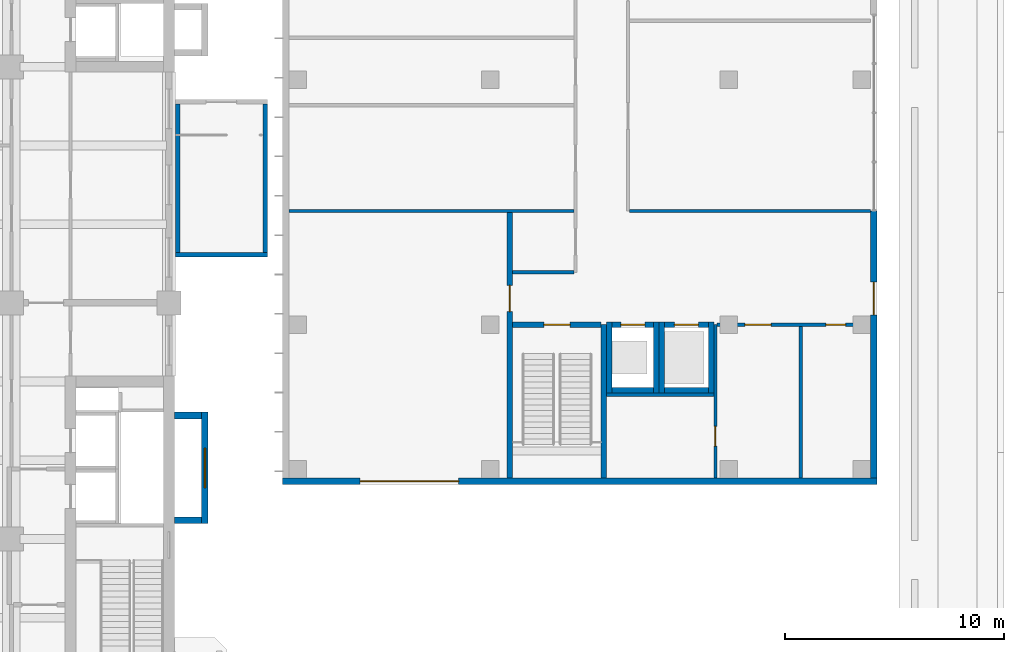
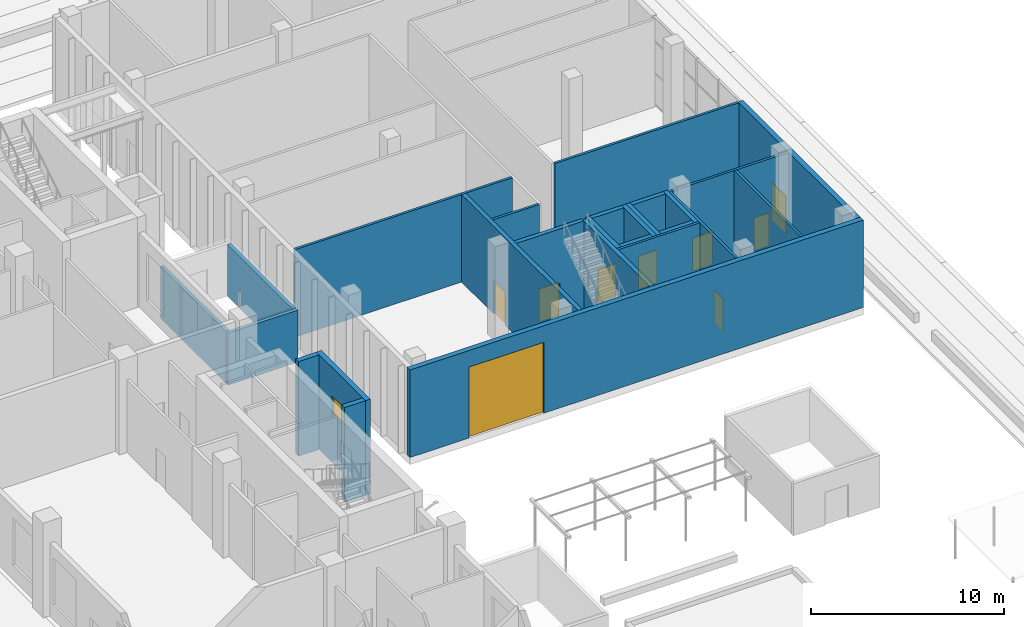
# One storey, part 54 of 71: 26 walls, 9 doors, 1 window, 10 openings.
"""IFC4 building model written with IfcOpenShell, lengths in metres."""

from ifc_helpers import new_model, si_unit, direction, frame, frame_2d, origin, place, context, subcontext, project, spatial, rectangle, extrude, material, layer, layer_set, type_object, element, fill, save


model = new_model("IFC4")

# Units and contexts
model_context = context("Model", 3, precision=1e-05, world=origin(), true_north=direction((0.0, 1.0)))
body_context = subcontext(model_context, "Body", "Model", "MODEL_VIEW")
ifc_project = project(units=[si_unit("LENGTHUNIT", "METRE"), si_unit("AREAUNIT", "SQUARE_METRE"), si_unit("VOLUMEUNIT", "CUBIC_METRE"), si_unit("PLANEANGLEUNIT", "RADIAN"), si_unit("MASSUNIT", "GRAM", prefix="KILO")], contexts=[model_context])

# Site, building, storey
site_placement = place(None, origin())
site = spatial("IfcSite", under=ifc_project, at=site_placement, CompositionType="ELEMENT")
building_placement = place(site_placement, origin())
building = spatial("IfcBuilding", under=site, at=building_placement, Name="Basin Gate Institute", CompositionType="ELEMENT")
storey_placement = place(building_placement, origin())
storey = spatial("IfcBuildingStorey", under=building, at=storey_placement, Name="L00", CompositionType="ELEMENT", Elevation=0.0)

# Wall, opening, door
ifc_material_1 = material(Name="Concrete 40 MPa", Category="concrete")
ifc_layer_1 = layer(ifc_material_1, 0.25)
ifc_layer_set_1 = layer_set([ifc_layer_1], Name="Concrete 40 MPa")
wall_type_1 = type_object("IfcWallType", Name="Block enclosure wall W73 REI 120", PredefinedType="SOLIDWALL", material=ifc_layer_set_1)
wall_1_placement = place(storey_placement, frame((134.52490234375, 77.300048828125, 0.0), z_axis=(0.0, 0.0, 1.0), x_axis=(1.0, 0.0, 0.0)))
wall_1 = element("IfcWall", 1, at=wall_1_placement, inside=storey, type_object=wall_type_1, material=ifc_layer_set_1, Name="Stair and lift enclosure wall Cx7730-1 L00", PredefinedType="SOLIDWALL", context=body_context, shape_type="SweptSolid", body=[
    extrude(rectangle(XDim=4.050048828125, YDim=0.25, at=frame_2d((2.02490234375, 0.0))), origin(), (0.0, 0.0, 1.0), 5.550048828125),
])
opening_1_placement = place(wall_1_placement, frame((1.425048828125, 0.0, 0.0)))
opening_1 = element("IfcOpeningElement", 2, at=opening_1_placement, cuts=wall_1, Name="Opening D1017", PredefinedType="OPENING", context=body_context, shape_type="SweptSolid", body=[
    extrude(rectangle(XDim=1.199951171875, YDim=2.10009765625, at=frame_2d((0.60009765625, 1.050048828125))), frame((0.0, 0.135009765625, 0.0), z_axis=(0.0, -1.0, 0.0), x_axis=(1.0, 0.0, 0.0)), (0.0, 0.0, 1.0), 0.27001953125),
])
ifc_material_2 = material(Name="Steel fire door leaf", Category="steel")
door_type_1 = type_object("IfcDoorType", Name="FD60 door 1200 single swing", OperationType="NOTDEFINED", PredefinedType="DOOR", material=ifc_material_2)
door_1_placement = place(opening_1_placement, frame((1.199951171875, 0.0, 0.0), z_axis=(0.0, 0.0, 1.0), x_axis=(-1.0, 0.0, 0.0)))
door_1 = element("IfcDoor", 3, at=door_1_placement, inside=storey, type_object=door_type_1, material=ifc_material_2, Name="Stair door ST-C1 L00", OperationType="SINGLE_SWING_LEFT", OverallHeight=2.10009765625, OverallWidth=1.199951171875, PredefinedType="DOOR", context=body_context, shape_type="SweptSolid", body=[
    extrude(rectangle(XDim=1.199951171875, YDim=2.10009765625, at=frame_2d((0.60009765625, 1.050048828125))), frame((0.0, 0.02490234375, 0.0), z_axis=(0.0, -1.0, 0.0), x_axis=(1.0, 0.0, 0.0)), (0.0, 0.0, 1.0), 0.050048828125),
])
fill(opening_1, door_1)

wall_2_placement = place(storey_placement, frame((134.39990234375, 70.300048828125, 0.0), z_axis=(0.0, 0.0, 1.0), x_axis=(0.0, 1.0, 0.0)))
wall_2 = element("IfcWall", 4, at=wall_2_placement, inside=storey, type_object=wall_type_1, material=ifc_layer_set_1, Name="Stair and lift enclosure wall Cy13440-14 L00", PredefinedType="SOLIDWALL", context=body_context, shape_type="SweptSolid", body=[
    extrude(rectangle(XDim=12.125, YDim=0.25, at=frame_2d((6.0625, 0.0))), origin(), (0.0, 0.0, 1.0), 5.550048828125),
])
opening_2_placement = place(wall_2_placement, frame((7.60009765625, 0.0, 0.0)))
opening_2 = element("IfcOpeningElement", 5, at=opening_2_placement, cuts=wall_2, Name="Opening D1001", PredefinedType="OPENING", context=body_context, shape_type="SweptSolid", body=[
    extrude(rectangle(XDim=1.199951171875, YDim=2.10009765625, at=frame_2d((0.60009765625, 1.050048828125))), frame((0.0, 0.135009765625, 0.0), z_axis=(0.0, -1.0, 0.0), x_axis=(1.0, 0.0, 0.0)), (0.0, 0.0, 1.0), 0.27001953125),
])
ifc_material_3 = material(Name="Timber door leaf in steel frame", Category="steel")
door_type_2 = type_object("IfcDoorType", Name="Block door 1200 single swing", OperationType="NOTDEFINED", PredefinedType="DOOR", material=ifc_material_3)
door_2_placement = place(opening_2_placement, origin())
door_2 = element("IfcDoor", 6, at=door_2_placement, inside=storey, type_object=door_type_2, material=ifc_material_3, Name="Dock and Goods Reception door L00", OperationType="SINGLE_SWING_LEFT", OverallHeight=2.10009765625, OverallWidth=1.199951171875, PredefinedType="DOOR", context=body_context, shape_type="SweptSolid", body=[
    extrude(rectangle(XDim=1.199951171875, YDim=2.10009765625, at=frame_2d((0.60009765625, 1.050048828125))), frame((0.0, 0.02490234375, 0.0), z_axis=(0.0, -1.0, 0.0), x_axis=(1.0, 0.0, 0.0)), (0.0, 0.0, 1.0), 0.050048828125),
])
fill(opening_2, door_2)

# Wall
wall_3_placement = place(storey_placement, frame((138.699951171875, 70.300048828125, 0.0), z_axis=(0.0, 0.0, 1.0), x_axis=(0.0, 1.0, 0.0)))
element("IfcWall", 7, at=wall_3_placement, inside=storey, type_object=wall_type_1, material=ifc_layer_set_1, Name="Stair and lift enclosure wall Cy13870-17 L00", PredefinedType="SOLIDWALL", context=body_context, shape_type="SweptSolid", body=[
    extrude(rectangle(XDim=7.0, YDim=0.25, at=frame_2d((3.5, 0.0))), origin(), (0.0, 0.0, 1.0), 5.550048828125),
])

# Wall, opening, door
ifc_material_4 = material(Name="Concrete 50 MPa", Category="concrete")
ifc_layer_2 = layer(ifc_material_4, 0.300048828125)
ifc_layer_set_2 = layer_set([ifc_layer_2], Name="Concrete 50 MPa")
wall_type_2 = type_object("IfcWallType", Name="Clean block external wall W81 REI 180", PredefinedType="SOLIDWALL", material=ifc_layer_set_2)
wall_4_placement = place(storey_placement, frame((124.0, 70.14990234375, 0.0), z_axis=(0.0, 0.0, 1.0), x_axis=(1.0, 0.0, 0.0)))
wall_4 = element("IfcWall", 8, at=wall_4_placement, inside=storey, type_object=wall_type_2, material=ifc_layer_set_2, Name="Clean block external wall south L00", PredefinedType="SOLIDWALL", context=body_context, shape_type="SweptSolid", body=[
    extrude(rectangle(XDim=27.199951171875, YDim=0.300048828125, at=frame_2d((13.60009765625, 0.0))), origin(), (0.0, 0.0, 1.0), 5.550048828125),
])
opening_3_placement = place(wall_4_placement, frame((3.550048828125, 0.0, 0.0)))
opening_3 = element("IfcOpeningElement", 9, at=opening_3_placement, cuts=wall_4, Name="Opening D1088", PredefinedType="OPENING", context=body_context, shape_type="SweptSolid", body=[
    extrude(rectangle(XDim=4.5, YDim=4.5, at=frame_2d((2.25, 2.25))), frame((0.0, 0.16015625, 0.0), z_axis=(0.0, -1.0, 0.0), x_axis=(1.0, 0.0, 0.0)), (0.0, 0.0, 1.0), 0.320068359375),
])
ifc_material_5 = material(Name="Insulated steel sectional door", Category="steel")
door_type_3 = type_object("IfcDoorType", Name="Loading dock overhead door 4500", OperationType="ROLLINGUP", PredefinedType="DOOR", material=ifc_material_5)
door_3_placement = place(opening_3_placement, frame((4.5, 0.0, 0.0), z_axis=(0.0, 0.0, 1.0), x_axis=(-1.0, 0.0, 0.0)))
door_3 = element("IfcDoor", 10, at=door_3_placement, inside=storey, type_object=door_type_3, material=ifc_material_5, Name="Loading dock door", OperationType="ROLLINGUP", OverallHeight=4.5, OverallWidth=4.5, PredefinedType="DOOR", context=body_context, shape_type="SweptSolid", body=[
    extrude(rectangle(XDim=4.5, YDim=4.5, at=frame_2d((2.25, 2.25))), frame((0.0, 0.02490234375, 0.0), z_axis=(0.0, -1.0, 0.0), x_axis=(1.0, 0.0, 0.0)), (0.0, 0.0, 1.0), 0.050048828125),
])
fill(opening_3, door_3)

wall_5_placement = place(storey_placement, frame((151.050048828125, 70.300048828125, 0.0), z_axis=(0.0, 0.0, 1.0), x_axis=(0.0, 1.0, 0.0)))
wall_5 = element("IfcWall", 11, at=wall_5_placement, inside=storey, type_object=wall_type_2, material=ifc_layer_set_2, Name="Clean block external wall east L00", PredefinedType="SOLIDWALL", context=body_context, shape_type="SweptSolid", body=[
    extrude(rectangle(XDim=12.199951171875, YDim=0.300048828125, at=frame_2d((6.10009765625, 0.0))), origin(), (0.0, 0.0, 1.0), 5.550048828125),
])
opening_4_placement = place(wall_5_placement, frame((7.449951171875, 0.0, 0.0)))
opening_4 = element("IfcOpeningElement", 12, at=opening_4_placement, cuts=wall_5, Name="Opening D1089", PredefinedType="OPENING", context=body_context, shape_type="SweptSolid", body=[
    extrude(rectangle(XDim=1.5, YDim=2.39990234375, at=frame_2d((0.75, 1.199951171875))), frame((0.0, 0.16015625, 0.0), z_axis=(0.0, -1.0, 0.0), x_axis=(1.0, 0.0, 0.0)), (0.0, 0.0, 1.0), 0.320068359375),
])
ifc_material_6 = material(Name="Steel fire door leaf with fire-rated glazed vision panel", Category="steel")
door_type_4 = type_object("IfcDoorType", Name="FD60 Exit door 1500 single swing", OperationType="NOTDEFINED", PredefinedType="DOOR", material=ifc_material_6)
door_4_placement = place(opening_4_placement, frame((1.5, 0.0, 0.0), z_axis=(0.0, 0.0, 1.0), x_axis=(-1.0, 0.0, 0.0)))
door_4 = element("IfcDoor", 13, at=door_4_placement, inside=storey, type_object=door_type_4, material=ifc_material_6, Name="Final exit Clean block E 78.5", OperationType="SINGLE_SWING_RIGHT", OverallHeight=2.39990234375, OverallWidth=1.5, PredefinedType="DOOR", context=body_context, shape_type="SweptSolid", body=[
    extrude(rectangle(XDim=1.5, YDim=2.39990234375, at=frame_2d((0.75, 1.199951171875))), frame((0.0, 0.02490234375, 0.0), z_axis=(0.0, -1.0, 0.0), x_axis=(1.0, 0.0, 0.0)), (0.0, 0.0, 1.0), 0.050048828125),
])
fill(opening_4, door_4)

# Wall
ifc_material_7 = material(Name="Gypsum board partition on steel studs, 60 minute", Category="steel")
ifc_layer_3 = layer(ifc_material_7, 0.14990234375)
ifc_layer_set_3 = layer_set([ifc_layer_3], Name="Gypsum board partition on steel studs, 60 minute")
wall_type_3 = type_object("IfcWallType", Name="Clean block partition PW72 EI 60", PredefinedType="SOLIDWALL", material=ifc_layer_set_3)
wall_6_placement = place(storey_placement, frame((138.824951171875, 74.10009765625, 0.0), z_axis=(0.0, 0.0, 1.0), x_axis=(1.0, 0.0, 0.0)))
element("IfcWall", 14, at=wall_6_placement, inside=storey, type_object=wall_type_3, material=ifc_layer_set_3, Name="Clean block partition Cx7410-0 L00", PredefinedType="SOLIDWALL", context=body_context, shape_type="SweptSolid", body=[
    extrude(rectangle(XDim=4.900146484375, YDim=0.14990234375, at=frame_2d((2.4501953125, 0.0))), origin(), (0.0, 0.0, 1.0), 5.550048828125),
])

# Wall, openings, doors
wall_7_placement = place(storey_placement, frame((143.875, 77.300048828125, 0.0), z_axis=(0.0, 0.0, 1.0), x_axis=(1.0, 0.0, 0.0)))
wall_7 = element("IfcWall", 15, at=wall_7_placement, inside=storey, type_object=wall_type_3, material=ifc_layer_set_3, Name="Clean block partition Cx7730-2 L00", PredefinedType="SOLIDWALL", context=body_context, shape_type="SweptSolid", body=[
    extrude(rectangle(XDim=7.02490234375, YDim=0.14990234375, at=frame_2d((3.512451171875, 0.0))), origin(), (0.0, 0.0, 1.0), 5.550048828125),
])
opening_5_placement = place(wall_7_placement, frame((1.27490234375, 0.0, 0.0)))
opening_5 = element("IfcOpeningElement", 16, at=opening_5_placement, cuts=wall_7, Name="Opening D1003", PredefinedType="OPENING", context=body_context, shape_type="SweptSolid", body=[
    extrude(rectangle(XDim=1.199951171875, YDim=2.10009765625, at=frame_2d((0.60009765625, 1.050048828125))), frame((0.0, 0.0849609375, 0.0), z_axis=(0.0, -1.0, 0.0), x_axis=(1.0, 0.0, 0.0)), (0.0, 0.0, 1.0), 0.169921875),
])
opening_6_placement = place(wall_7_placement, frame((4.97509765625, 0.0, 0.0)))
opening_6 = element("IfcOpeningElement", 17, at=opening_6_placement, cuts=wall_7, Name="Opening D1004", PredefinedType="OPENING", context=body_context, shape_type="SweptSolid", body=[
    extrude(rectangle(XDim=0.89990234375, YDim=2.10009765625, at=frame_2d((0.449951171875, 1.050048828125))), frame((0.0, 0.0849609375, 0.0), z_axis=(0.0, -1.0, 0.0), x_axis=(1.0, 0.0, 0.0)), (0.0, 0.0, 1.0), 0.169921875),
])
door_5_placement = place(opening_5_placement, frame((1.199951171875, 0.0, 0.0), z_axis=(0.0, 0.0, 1.0), x_axis=(-1.0, 0.0, 0.0)))
door_5 = element("IfcDoor", 18, at=door_5_placement, inside=storey, type_object=door_type_2, material=ifc_material_3, Name="Goods Store door L00", OperationType="SINGLE_SWING_RIGHT", OverallHeight=2.10009765625, OverallWidth=1.199951171875, PredefinedType="DOOR", context=body_context, shape_type="SweptSolid", body=[
    extrude(rectangle(XDim=1.199951171875, YDim=2.10009765625, at=frame_2d((0.60009765625, 1.050048828125))), frame((0.0, 0.02490234375, 0.0), z_axis=(0.0, -1.0, 0.0), x_axis=(1.0, 0.0, 0.0)), (0.0, 0.0, 1.0), 0.050048828125),
])
fill(opening_5, door_5)
ifc_material_8 = material(Name="Timber door leaf in steel frame", Category="steel")
door_type_5 = type_object("IfcDoorType", Name="Block door 900 single swing", OperationType="NOTDEFINED", PredefinedType="DOOR", material=ifc_material_8)
door_6_placement = place(opening_6_placement, frame((0.89990234375, 0.0, 0.0), z_axis=(0.0, 0.0, 1.0), x_axis=(-1.0, 0.0, 0.0)))
door_6 = element("IfcDoor", 19, at=door_6_placement, inside=storey, type_object=door_type_5, material=ifc_material_8, Name="Utility Room door L00", OperationType="SINGLE_SWING_LEFT", OverallHeight=2.10009765625, OverallWidth=0.89990234375, PredefinedType="DOOR", context=body_context, shape_type="SweptSolid", body=[
    extrude(rectangle(XDim=0.89990234375, YDim=2.10009765625, at=frame_2d((0.449951171875, 1.050048828125))), frame((0.0, 0.02490234375, 0.0), z_axis=(0.0, -1.0, 0.0), x_axis=(1.0, 0.0, 0.0)), (0.0, 0.0, 1.0), 0.050048828125),
])
fill(opening_6, door_6)

# Walls
wall_8_placement = place(storey_placement, frame((134.52490234375, 79.699951171875, 0.0), z_axis=(0.0, 0.0, 1.0), x_axis=(1.0, 0.0, 0.0)))
element("IfcWall", 20, at=wall_8_placement, inside=storey, type_object=wall_type_3, material=ifc_layer_set_3, Name="Clean block partition Cx7970-3 L00", PredefinedType="SOLIDWALL", context=body_context, shape_type="SweptSolid", body=[
    extrude(rectangle(XDim=2.800048828125, YDim=0.14990234375, at=frame_2d((1.39990234375, 0.0))), origin(), (0.0, 0.0, 1.0), 5.550048828125),
])
wall_9_placement = place(storey_placement, frame((124.300048828125, 82.5, 0.0), z_axis=(0.0, 0.0, 1.0), x_axis=(1.0, 0.0, 0.0)))
element("IfcWall", 21, at=wall_9_placement, inside=storey, type_object=wall_type_3, material=ifc_layer_set_3, Name="Clean block partition Cx8250-4 L00", PredefinedType="SOLIDWALL", context=body_context, shape_type="SweptSolid", body=[
    extrude(rectangle(XDim=13.02490234375, YDim=0.14990234375, at=frame_2d((6.512451171875, 0.0))), origin(), (0.0, 0.0, 1.0), 5.550048828125),
])
wall_10_placement = place(storey_placement, frame((139.875, 82.5, 0.0), z_axis=(0.0, 0.0, 1.0), x_axis=(1.0, 0.0, 0.0)))
element("IfcWall", 22, at=wall_10_placement, inside=storey, type_object=wall_type_3, material=ifc_layer_set_3, Name="Clean block partition Cx8250-5 L00", PredefinedType="SOLIDWALL", context=body_context, shape_type="SweptSolid", body=[
    extrude(rectangle(XDim=11.02490234375, YDim=0.14990234375, at=frame_2d((5.512451171875, 0.0))), origin(), (0.0, 0.0, 1.0), 5.550048828125),
])

# Wall, opening, door
wall_11_placement = place(storey_placement, frame((143.800048828125, 70.300048828125, 0.0), z_axis=(0.0, 0.0, 1.0), x_axis=(0.0, 1.0, 0.0)))
wall_11 = element("IfcWall", 23, at=wall_11_placement, inside=storey, type_object=wall_type_3, material=ifc_layer_set_3, Name="Clean block partition Cy14380-20 L00", PredefinedType="SOLIDWALL", context=body_context, shape_type="SweptSolid", body=[
    extrude(rectangle(XDim=7.0, YDim=0.14990234375, at=frame_2d((3.5, 0.0))), origin(), (0.0, 0.0, 1.0), 5.550048828125),
])
opening_7_placement = place(wall_11_placement, frame((1.449951171875, 0.0, 0.0)))
opening_7 = element("IfcOpeningElement", 24, at=opening_7_placement, cuts=wall_11, Name="Opening D1015", PredefinedType="OPENING", context=body_context, shape_type="SweptSolid", body=[
    extrude(rectangle(XDim=0.89990234375, YDim=2.10009765625, at=frame_2d((0.449951171875, 1.050048828125))), frame((0.0, 0.0849609375, 0.0), z_axis=(0.0, -1.0, 0.0), x_axis=(1.0, 0.0, 0.0)), (0.0, 0.0, 1.0), 0.169921875),
])
door_7_placement = place(opening_7_placement, frame((0.89990234375, 0.0, 0.0), z_axis=(0.0, 0.0, 1.0), x_axis=(-1.0, 0.0, 0.0)))
door_7 = element("IfcDoor", 25, at=door_7_placement, inside=storey, type_object=door_type_5, material=ifc_material_8, Name="Riser Room door L00", OperationType="SINGLE_SWING_RIGHT", OverallHeight=2.10009765625, OverallWidth=0.89990234375, PredefinedType="DOOR", context=body_context, shape_type="SweptSolid", body=[
    extrude(rectangle(XDim=0.89990234375, YDim=2.10009765625, at=frame_2d((0.449951171875, 1.050048828125))), frame((0.0, 0.02490234375, 0.0), z_axis=(0.0, -1.0, 0.0), x_axis=(1.0, 0.0, 0.0)), (0.0, 0.0, 1.0), 0.050048828125),
])
fill(opening_7, door_7)

# Walls
wall_12_placement = place(storey_placement, frame((147.699951171875, 70.300048828125, 0.0), z_axis=(0.0, 0.0, 1.0), x_axis=(0.0, 1.0, 0.0)))
element("IfcWall", 26, at=wall_12_placement, inside=storey, type_object=wall_type_3, material=ifc_layer_set_3, Name="Clean block partition Cy14770-23 L00", PredefinedType="SOLIDWALL", context=body_context, shape_type="SweptSolid", body=[
    extrude(rectangle(XDim=6.925048828125, YDim=0.14990234375, at=frame_2d((3.46240234375, 0.0))), origin(), (0.0, 0.0, 1.0), 5.550048828125),
])
ifc_material_9 = material(Name="Concrete 40 MPa", Category="concrete")
ifc_layer_4 = layer(ifc_material_9, 0.25)
ifc_layer_set_4 = layer_set([ifc_layer_4], Name="Concrete 40 MPa")
wall_type_4 = type_object("IfcWallType", Name="Lift shaft enclosure wall W76 EI 120", PredefinedType="SOLIDWALL", material=ifc_layer_set_4)
wall_13_placement = place(storey_placement, frame((139.074951171875, 74.300048828125, 0.0), z_axis=(0.0, 0.0, 1.0), x_axis=(1.0, 0.0, 0.0)))
element("IfcWall", 27, at=wall_13_placement, inside=storey, type_object=wall_type_4, material=ifc_layer_set_4, Name="Lift shaft enclosure LP8 S L00", PredefinedType="SOLIDWALL", context=body_context, shape_type="SweptSolid", body=[
    extrude(rectangle(XDim=1.900146484375, YDim=0.25, at=frame_2d((0.9501953125, 0.0))), origin(), (0.0, 0.0, 1.0), 5.550048828125),
])

# Wall, opening, door
wall_14_placement = place(storey_placement, frame((139.074951171875, 77.300048828125, 0.0), z_axis=(0.0, 0.0, 1.0), x_axis=(1.0, 0.0, 0.0)))
wall_14 = element("IfcWall", 28, at=wall_14_placement, inside=storey, type_object=wall_type_4, material=ifc_layer_set_4, Name="Lift shaft enclosure LP8 N L00", PredefinedType="SOLIDWALL", context=body_context, shape_type="SweptSolid", body=[
    extrude(rectangle(XDim=1.900146484375, YDim=0.25, at=frame_2d((0.9501953125, 0.0))), origin(), (0.0, 0.0, 1.0), 5.550048828125),
])
opening_8_placement = place(wall_14_placement, frame((0.39990234375, 0.0, 0.0)))
opening_8 = element("IfcOpeningElement", 29, at=opening_8_placement, cuts=wall_14, Name="Opening LW41", PredefinedType="OPENING", context=body_context, shape_type="SweptSolid", body=[
    extrude(rectangle(XDim=1.10009765625, YDim=2.10009765625, at=frame_2d((0.550048828125, 1.050048828125))), frame((0.0, 0.135009765625, 0.0), z_axis=(0.0, -1.0, 0.0), x_axis=(1.0, 0.0, 0.0)), (0.0, 0.0, 1.0), 0.27001953125),
])
ifc_material_10 = material(Name="Stainless steel", Category="steel")
door_type_6 = type_object("IfcDoorType", Name="FD60 Lift landing door LD", OperationType="SLIDING_TO_LEFT", PredefinedType="DOOR", material=ifc_material_10)
door_8_placement = place(opening_8_placement, origin())
door_8 = element("IfcDoor", 30, at=door_8_placement, inside=storey, type_object=door_type_6, material=ifc_material_10, Name="Lift landing door LP8 L00", OperationType="SLIDING_TO_LEFT", OverallHeight=2.10009765625, OverallWidth=1.10009765625, PredefinedType="DOOR", context=body_context, shape_type="SweptSolid", body=[
    extrude(rectangle(XDim=1.10009765625, YDim=2.10009765625, at=frame_2d((0.550048828125, 1.050048828125))), frame((0.0, 0.02490234375, 0.0), z_axis=(0.0, -1.0, 0.0), x_axis=(1.0, 0.0, 0.0)), (0.0, 0.0, 1.0), 0.050048828125),
])
fill(opening_8, door_8)

# Walls
for number, where, z_axis, x_axis, name in (
    (31, (138.949951171875, 74.175048828125, 0.0), (0.0, 0.0, 1.0), (0.0, 1.0, 0.0), "Lift shaft enclosure LP8 W L00"),
    (32, (141.10009765625, 74.175048828125, 0.0), (0.0, 0.0, 1.0), (0.0, 1.0, 0.0), "Lift shaft enclosure LP8 E L00"),
):
    element("IfcWall", number, at=place(storey_placement, frame(where, z_axis=z_axis, x_axis=x_axis)), inside=storey, type_object=wall_type_4, material=ifc_layer_set_4, Name=name, PredefinedType="SOLIDWALL", context=body_context, shape_type="SweptSolid", body=[
        extrude(rectangle(XDim=3.25, YDim=0.25, at=frame_2d((1.625, 0.0))), origin(), (0.0, 0.0, 1.0), 5.550048828125),
    ])
wall_15_placement = place(storey_placement, frame((141.47509765625, 74.300048828125, 0.0), z_axis=(0.0, 0.0, 1.0), x_axis=(1.0, 0.0, 0.0)))
element("IfcWall", 33, at=wall_15_placement, inside=storey, type_object=wall_type_4, material=ifc_layer_set_4, Name="Lift shaft enclosure LG1 S L00", PredefinedType="SOLIDWALL", context=body_context, shape_type="SweptSolid", body=[
    extrude(rectangle(XDim=2.0, YDim=0.25, at=frame_2d((1.0, 0.0))), origin(), (0.0, 0.0, 1.0), 5.550048828125),
])

# Wall, opening, door
wall_16_placement = place(storey_placement, frame((141.47509765625, 77.300048828125, 0.0), z_axis=(0.0, 0.0, 1.0), x_axis=(1.0, 0.0, 0.0)))
wall_16 = element("IfcWall", 34, at=wall_16_placement, inside=storey, type_object=wall_type_4, material=ifc_layer_set_4, Name="Lift shaft enclosure LG1 N L00", PredefinedType="SOLIDWALL", context=body_context, shape_type="SweptSolid", body=[
    extrude(rectangle(XDim=2.0, YDim=0.25, at=frame_2d((1.0, 0.0))), origin(), (0.0, 0.0, 1.0), 5.550048828125),
])
opening_9_placement = place(wall_16_placement, frame((0.449951171875, 0.0, 0.0)))
opening_9 = element("IfcOpeningElement", 35, at=opening_9_placement, cuts=wall_16, Name="Opening LW42", PredefinedType="OPENING", context=body_context, shape_type="SweptSolid", body=[
    extrude(rectangle(XDim=1.10009765625, YDim=2.10009765625, at=frame_2d((0.550048828125, 1.050048828125))), frame((0.0, 0.135009765625, 0.0), z_axis=(0.0, -1.0, 0.0), x_axis=(1.0, 0.0, 0.0)), (0.0, 0.0, 1.0), 0.27001953125),
])
door_9_placement = place(opening_9_placement, origin())
door_9 = element("IfcDoor", 36, at=door_9_placement, inside=storey, type_object=door_type_6, material=ifc_material_10, Name="Lift landing door LG1 L00", OperationType="SLIDING_TO_LEFT", OverallHeight=2.10009765625, OverallWidth=1.10009765625, PredefinedType="DOOR", context=body_context, shape_type="SweptSolid", body=[
    extrude(rectangle(XDim=1.10009765625, YDim=2.10009765625, at=frame_2d((0.550048828125, 1.050048828125))), frame((0.0, 0.02490234375, 0.0), z_axis=(0.0, -1.0, 0.0), x_axis=(1.0, 0.0, 0.0)), (0.0, 0.0, 1.0), 0.050048828125),
])
fill(opening_9, door_9)

# Walls
for number, where, z_axis, x_axis, name in (
    (37, (141.35009765625, 74.175048828125, 0.0), (0.0, 0.0, 1.0), (0.0, 1.0, 0.0), "Lift shaft enclosure LG1 W L00"),
    (38, (143.60009765625, 74.175048828125, 0.0), (0.0, 0.0, 1.0), (0.0, 1.0, 0.0), "Lift shaft enclosure LG1 E L00"),
):
    element("IfcWall", number, at=place(storey_placement, frame(where, z_axis=z_axis, x_axis=x_axis)), inside=storey, type_object=wall_type_4, material=ifc_layer_set_4, Name=name, PredefinedType="SOLIDWALL", context=body_context, shape_type="SweptSolid", body=[
        extrude(rectangle(XDim=3.25, YDim=0.25, at=frame_2d((1.625, 0.0))), origin(), (0.0, 0.0, 1.0), 5.550048828125),
    ])
ifc_material_11 = material(Name="Concrete 35 MPa", Category="concrete")
ifc_layer_5 = layer(ifc_material_11, 0.199951171875)
ifc_layer_set_5 = layer_set([ifc_layer_5], Name="Concrete 35 MPa")
wall_type_5 = type_object("IfcWallType", Name="Stair head house wall 200", PredefinedType="SOLIDWALL", material=ifc_layer_set_5)
wall_17_placement = place(storey_placement, frame((119.10009765625, 80.5, 0.0), z_axis=(0.0, 0.0, 1.0), x_axis=(1.0, 0.0, 0.0)))
element("IfcWall", 39, at=wall_17_placement, inside=storey, type_object=wall_type_5, material=ifc_layer_set_5, Name="Stair head house BS4 wall", PredefinedType="SOLIDWALL", context=body_context, shape_type="SweptSolid", body=[
    extrude(rectangle(XDim=4.199951171875, YDim=0.199951171875, at=frame_2d((2.10009765625, 0.0))), origin(), (0.0, 0.0, 1.0), 3.300048828125),
])
for number, where, z_axis, x_axis, name in (
    (40, (119.199951171875, 80.60009765625, 0.0), (0.0, 0.0, 1.0), (0.0, 1.0, 0.0), "Stair head house BS4 wall"),
    (41, (123.199951171875, 80.60009765625, 0.0), (0.0, 0.0, 1.0), (0.0, 1.0, 0.0), "Stair head house BS4 wall"),
):
    element("IfcWall", number, at=place(storey_placement, frame(where, z_axis=z_axis, x_axis=x_axis)), inside=storey, type_object=wall_type_5, material=ifc_layer_set_5, Name=name, PredefinedType="SOLIDWALL", context=body_context, shape_type="SweptSolid", body=[
        extrude(rectangle(XDim=6.7998046875, YDim=0.199951171875, at=frame_2d((3.39990234375, 0.0))), origin(), (0.0, 0.0, 1.0), 3.300048828125),
    ])

# Wall, opening, window
ifc_material_12 = material(Name="Concrete 50 MPa", Category="concrete")
ifc_layer_6 = layer(ifc_material_12, 0.300048828125)
ifc_layer_set_6 = layer_set([ifc_layer_6], Name="Concrete 50 MPa")
wall_type_6 = type_object("IfcWallType", Name="Wall SK1 R180", PredefinedType="SHEAR", material=ifc_layer_set_6)
wall_18_placement = place(storey_placement, frame((120.449951171875, 68.199951171875, 0.0), z_axis=(0.0, 0.0, 1.0), x_axis=(0.0, 1.0, 0.0)))
wall_18 = element("IfcWall", 42, at=wall_18_placement, inside=storey, type_object=wall_type_6, material=ifc_layer_set_6, Name="Spine riser stack wall SK1 EM F L00", PredefinedType="SHEAR", context=body_context, shape_type="SweptSolid", body=[
    extrude(rectangle(XDim=5.10009765625, YDim=0.300048828125, at=frame_2d((2.550048828125, 0.0))), origin(), (0.0, 0.0, 1.0), 6.0),
])
opening_10_placement = place(wall_18_placement, frame((1.64990234375, 0.0, 3.0)))
opening_10 = element("IfcOpeningElement", 43, at=opening_10_placement, cuts=wall_18, Name="Opening WL1", PredefinedType="OPENING", context=body_context, shape_type="SweptSolid", body=[
    extrude(rectangle(XDim=1.800048828125, YDim=1.199951171875, at=frame_2d((0.89990234375, 0.60009765625))), frame((0.0, 0.16015625, 0.0), z_axis=(0.0, -1.0, 0.0), x_axis=(1.0, 0.0, 0.0)), (0.0, 0.0, 1.0), 0.320068359375),
])
ifc_material_13 = material(Name="Aluminium louvre blades with fire damper", Category="aluminium")
window_type = type_object("IfcWindowType", Name="Riser louvre EI 180 WL1", PartitioningType="SINGLE_PANEL", PredefinedType="WINDOW", material=ifc_material_13)
window_placement = place(opening_10_placement, origin())
window = element("IfcWindow", 44, at=window_placement, inside=storey, type_object=window_type, material=ifc_material_13, Name="Riser louvre EI 180 EM riser 1 L00", OverallHeight=1.199951171875, OverallWidth=1.800048828125, PartitioningType="SINGLE_PANEL", PredefinedType="WINDOW", context=body_context, shape_type="SweptSolid", body=[
    extrude(rectangle(XDim=1.800048828125, YDim=1.199951171875, at=frame_2d((0.89990234375, 0.60009765625))), frame((0.0, 0.030029296875, 0.0), z_axis=(0.0, -1.0, 0.0), x_axis=(1.0, 0.0, 0.0)), (0.0, 0.0, 1.0), 0.06005859375),
])
fill(opening_10, window)

# Walls
for number, where, z_axis, x_axis, name in (
    (45, (119.050048828125, 68.35009765625, 0.0), (0.0, 0.0, 1.0), (1.0, 0.0, 0.0), "Spine riser stack wall SK1 EM A L00"),
    (46, (119.050048828125, 73.14990234375, 0.0), (0.0, 0.0, 1.0), (1.0, 0.0, 0.0), "Spine riser stack wall SK1 EM B L00"),
):
    element("IfcWall", number, at=place(storey_placement, frame(where, z_axis=z_axis, x_axis=x_axis)), inside=storey, type_object=wall_type_6, material=ifc_layer_set_6, Name=name, PredefinedType="SHEAR", context=body_context, shape_type="SweptSolid", body=[
        extrude(rectangle(XDim=1.25, YDim=0.300048828125, at=frame_2d((0.625, 0.0))), origin(), (0.0, 0.0, 1.0), 6.0),
    ])

save(model, "model.ifc")
